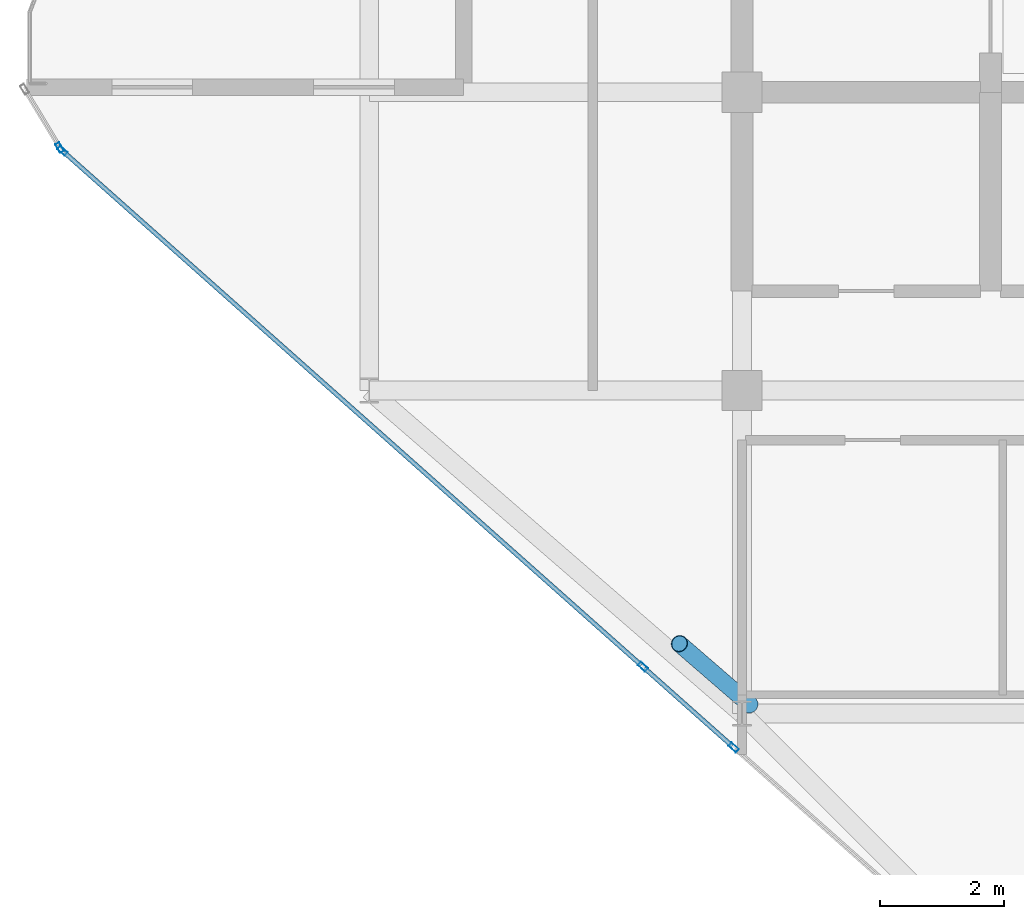
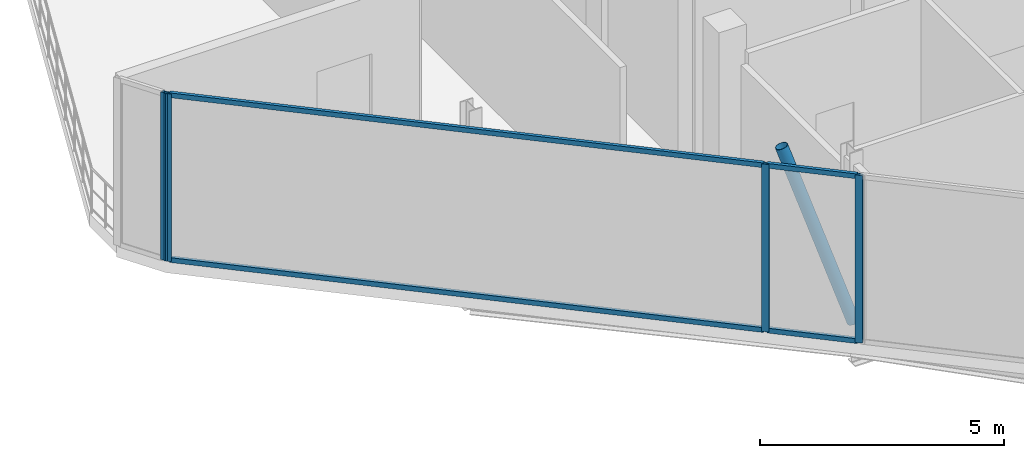
# One storey, part 3 of 24: 9 members, 4 elements without a shape of their own.
"""IFC4 building model written with IfcOpenShell, lengths in metres."""

from ifc_helpers import new_model, si_unit, direction, frame, origin, origin_2d, place, context, subcontext, project, spatial, hollow_rectangle, hollow_circle, extrude, material, layer, layer_set, material_profile, profile_set, type_object, element, aggregate, save


model = new_model("IFC4")

# Units and contexts
model_context = context("Model", 3, precision=1e-05, world=origin(), true_north=direction((0.0, 1.0)))
body_context = subcontext(model_context, "Body", "Model", "MODEL_VIEW")
ifc_project = project(units=[si_unit("LENGTHUNIT", "METRE"), si_unit("AREAUNIT", "SQUARE_METRE"), si_unit("VOLUMEUNIT", "CUBIC_METRE"), si_unit("PLANEANGLEUNIT", "RADIAN"), si_unit("MASSUNIT", "GRAM", prefix="KILO")], contexts=[model_context])

# Site, building, storey
site_placement = place(None, origin())
site = spatial("IfcSite", under=ifc_project, at=site_placement, CompositionType="ELEMENT")
building_placement = place(site_placement, origin())
building = spatial("IfcBuilding", under=site, at=building_placement, Name="Keshet Zoharim Tower", CompositionType="ELEMENT")
storey_placement = place(building_placement, frame((0.0, 0.0, 299.10009765625)))
storey = spatial("IfcBuildingStorey", under=building, at=storey_placement, Name="L75", CompositionType="ELEMENT", Elevation=299.10009765625)

# Curtain wall, member
ifc_material_1 = material(Name="Aluminium 6063-T6", Category="aluminium")
ifc_layer = layer(ifc_material_1, 0.260009765625)
ifc_layer_set = layer_set([ifc_layer], Name="Aluminium 6063-T6")
curtain_wall_type = type_object("IfcCurtainWallType", Name="CW-SYS-06", PredefinedType="NOTDEFINED", material=ifc_layer_set)
curtain_wall_1_placement = place(storey_placement, origin())
curtain_wall_1 = element("IfcCurtainWall", 1, at=curtain_wall_1_placement, inside=storey, type_object=curtain_wall_type, Name="L75 Unitised Curtain Wall 14", PredefinedType="NOTDEFINED")
ifc_material_profile_1 = material_profile(ifc_material_1, hollow_rectangle(XDim=0.074951171875, YDim=0.159912109375, WallThickness=0.00390625, at=origin_2d()), Name="MUL-75x160")
ifc_profile_set_1 = profile_set([ifc_material_profile_1], Name="Aluminium 6063-T6")
member_type_1 = type_object("IfcMemberType", Name="CWM-M15", PredefinedType="MULLION", material=ifc_profile_set_1)
member_1_placement = place(storey_placement, frame((14.865966796875, 12.152587890625, 0.0), z_axis=(0.0, 0.0, 1.0), x_axis=(-0.664361350167, -0.747411530821, 0.0)))
member_1 = element("IfcMember", 2, at=member_1_placement, type_object=member_type_1, Name="CW-06 mullion 2", PredefinedType="MULLION", context=body_context, shape_type="SweptSolid", body=[
    extrude(hollow_rectangle(XDim=0.074951171875, YDim=0.159912109375, WallThickness=0.00390625, at=origin_2d()), origin(), (0.0, 0.0, 1.0), 4.18994140625),
])
aggregate(curtain_wall_1, [member_1])

curtain_wall_2_placement = place(storey_placement, origin())
curtain_wall_2 = element("IfcCurtainWall", 3, at=curtain_wall_2_placement, inside=storey, type_object=curtain_wall_type, Name="L75 Unitised Curtain Wall 14 Part 2", PredefinedType="NOTDEFINED")
member_2_placement = place(storey_placement, frame((13.403076171875, 13.452880859375, 0.0), z_axis=(0.0, 0.0, 1.0), x_axis=(-0.664370181953, -0.747403680303, 0.0)))
member_2 = element("IfcMember", 4, at=member_2_placement, type_object=member_type_1, Name="CW-06 mullion 2", PredefinedType="MULLION", context=body_context, shape_type="SweptSolid", body=[
    extrude(hollow_rectangle(XDim=0.074951171875, YDim=0.159912109375, WallThickness=0.00390625, at=origin_2d()), origin(), (0.0, 0.0, 1.0), 4.18994140625),
])

curtain_wall_3_placement = place(storey_placement, origin())
curtain_wall_3 = element("IfcCurtainWall", 5, at=curtain_wall_3_placement, inside=storey, type_object=curtain_wall_type, Name="L75 Unitised Curtain Wall 14 Part 3", PredefinedType="NOTDEFINED")
member_3_placement = place(storey_placement, frame((4.061279296875, 21.7568359375, 0.0), z_axis=(0.0, 0.0, 1.0), x_axis=(-0.664359369535, -0.747413291367, 0.0)))
member_3 = element("IfcMember", 6, at=member_3_placement, type_object=member_type_1, Name="CW-06 mullion 2", PredefinedType="MULLION", context=body_context, shape_type="SweptSolid", body=[
    extrude(hollow_rectangle(XDim=0.074951171875, YDim=0.159912109375, WallThickness=0.00390625, at=origin_2d()), origin(), (0.0, 0.0, 1.0), 4.18994140625),
])

curtain_wall_4_placement = place(storey_placement, origin())
curtain_wall_4 = element("IfcCurtainWall", 7, at=curtain_wall_4_placement, inside=storey, type_object=curtain_wall_type, Name="L75 Unitised Curtain Wall 15", PredefinedType="NOTDEFINED")
member_4_placement = place(storey_placement, frame((4.016845703125, 21.81005859375, 0.0), z_axis=(0.0, 0.0, 1.0), x_axis=(-0.856736056545, -0.515755106049, 0.0)))
member_4 = element("IfcMember", 8, at=member_4_placement, type_object=member_type_1, Name="CW-06 mullion 1", PredefinedType="MULLION", context=body_context, shape_type="SweptSolid", body=[
    extrude(hollow_rectangle(XDim=0.074951171875, YDim=0.159912109375, WallThickness=0.00390625, at=origin_2d()), origin(), (0.0, 0.0, 1.0), 4.18994140625),
])
aggregate(curtain_wall_4, [member_4])

# Member
ifc_material_profile_2 = material_profile(ifc_material_1, hollow_rectangle(XDim=0.074951171875, YDim=0.1201171875, WallThickness=0.00390625, at=origin_2d()), Name="TRN-75x120")
ifc_profile_set_2 = profile_set([ifc_material_profile_2], Name="Aluminium 6063-T6")
member_type_2 = type_object("IfcMemberType", Name="CWT-T12", PredefinedType="USERDEFINED", material=ifc_profile_set_2)
member_5_placement = place(storey_placement, frame((14.839599609375, 12.17578125, 0.034912109375), z_axis=(-0.747352216078, 0.664428073702, 0.0), x_axis=(-0.664428073702, -0.747352216078, 0.0)))
member_5 = element("IfcMember", 9, at=member_5_placement, type_object=member_type_2, Name="CW-06 transom 1.1", ObjectType="TRANSOM", PredefinedType="USERDEFINED", context=body_context, shape_type="SweptSolid", body=[
    extrude(hollow_rectangle(XDim=0.074951171875, YDim=0.1201171875, WallThickness=0.00390625, at=origin_2d()), origin(), (0.0, 0.0, 1.0), 1.88720703125),
])

member_6_placement = place(storey_placement, frame((14.839599609375, 12.17578125, 4.15478515625), z_axis=(-0.747352216078, 0.664428073702, 0.0), x_axis=(-0.664428073702, -0.747352216078, 0.0)))
member_6 = element("IfcMember", 10, at=member_6_placement, type_object=member_type_2, Name="CW-06 transom 1.2", ObjectType="TRANSOM", PredefinedType="USERDEFINED", context=body_context, shape_type="SweptSolid", body=[
    extrude(hollow_rectangle(XDim=0.074951171875, YDim=0.1201171875, WallThickness=0.00390625, at=origin_2d()), origin(), (0.0, 0.0, 1.0), 1.88720703125),
])

aggregate(curtain_wall_2, [member_2, member_5, member_6])

member_7_placement = place(storey_placement, frame((13.376953125, 13.47607421875, 0.034912109375), z_axis=(-0.74741148617, 0.6643614004, 0.0), x_axis=(-0.6643614004, -0.74741148617, 0.0)))
member_7 = element("IfcMember", 11, at=member_7_placement, type_object=member_type_2, Name="CW-06 transom 1.1", ObjectType="TRANSOM", PredefinedType="USERDEFINED", context=body_context, shape_type="SweptSolid", body=[
    extrude(hollow_rectangle(XDim=0.074951171875, YDim=0.1201171875, WallThickness=0.00390625, at=origin_2d()), origin(), (0.0, 0.0, 1.0), 12.428955078125),
])

member_8_placement = place(storey_placement, frame((13.376953125, 13.47607421875, 4.15478515625), z_axis=(-0.74741148617, 0.6643614004, 0.0), x_axis=(-0.6643614004, -0.74741148617, 0.0)))
member_8 = element("IfcMember", 12, at=member_8_placement, type_object=member_type_2, Name="CW-06 transom 1.2", ObjectType="TRANSOM", PredefinedType="USERDEFINED", context=body_context, shape_type="SweptSolid", body=[
    extrude(hollow_rectangle(XDim=0.074951171875, YDim=0.1201171875, WallThickness=0.00390625, at=origin_2d()), origin(), (0.0, 0.0, 1.0), 12.428955078125),
])

aggregate(curtain_wall_3, [member_3, member_7, member_8])

ifc_material_2 = material(Name="Steel S355", Category="steel")
ifc_material_profile_3 = material_profile(ifc_material_2, hollow_circle(Radius=0.136474609375, WallThickness=0.010009765625, at=origin_2d()), Name="CHS273x10")
ifc_profile_set_3 = profile_set([ifc_material_profile_3], Name="Steel S355")
member_type_3 = type_object("IfcMemberType", Name="MB-BR-C273", PredefinedType="BRACE", material=ifc_profile_set_3)
member_9_placement = place(storey_placement, frame((15.1259765625, 12.842041015625, 0.0), z_axis=(-0.254817472887, 0.220640662207, 0.9414806178), x_axis=(-0.654589683411, -0.755984355904, 0.0)))
element("IfcMember", 13, at=member_9_placement, inside=storey, type_object=member_type_3, Name="L75 Perimeter Tube Brace 01", PredefinedType="BRACE", context=body_context, shape_type="SweptSolid", body=[
    extrude(hollow_circle(Radius=0.136474609375, WallThickness=0.010009765625, at=origin_2d()), origin(), (0.0, 0.0, 1.0), 4.450439453125),
])

save(model, "model.ifc")
